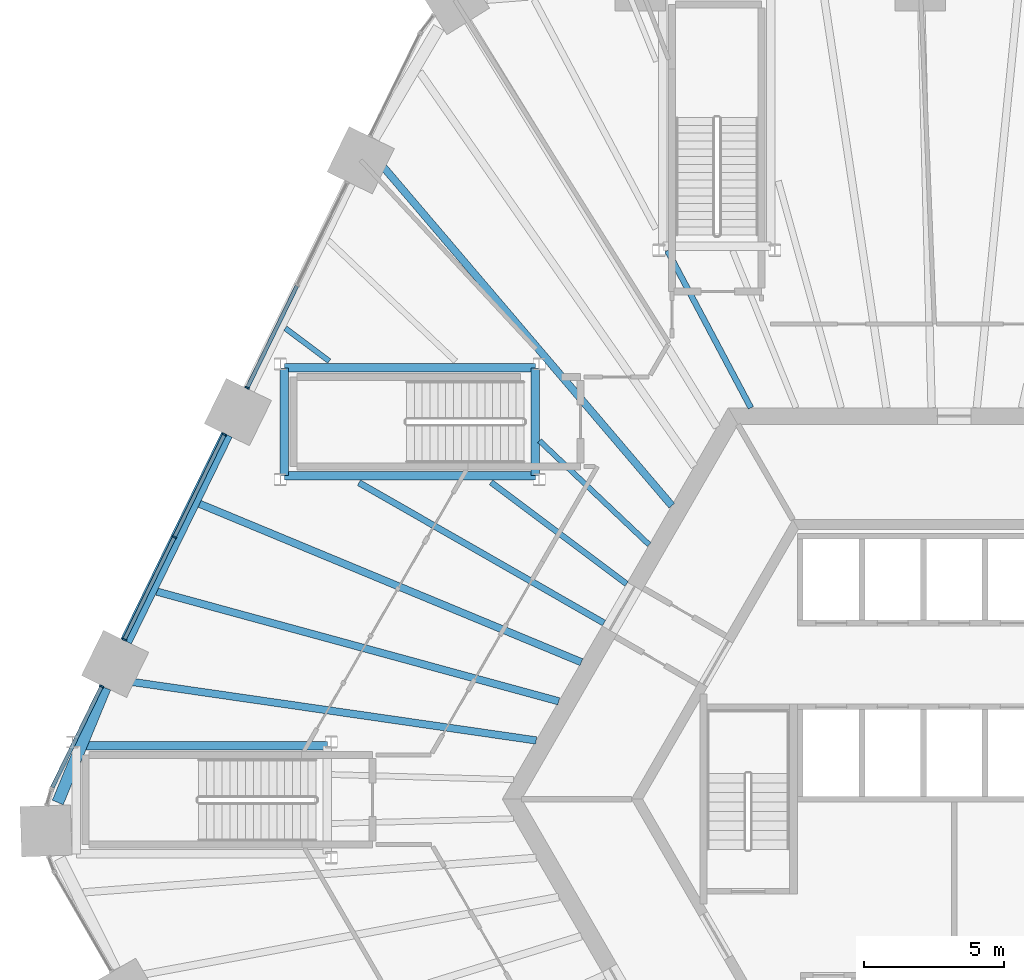
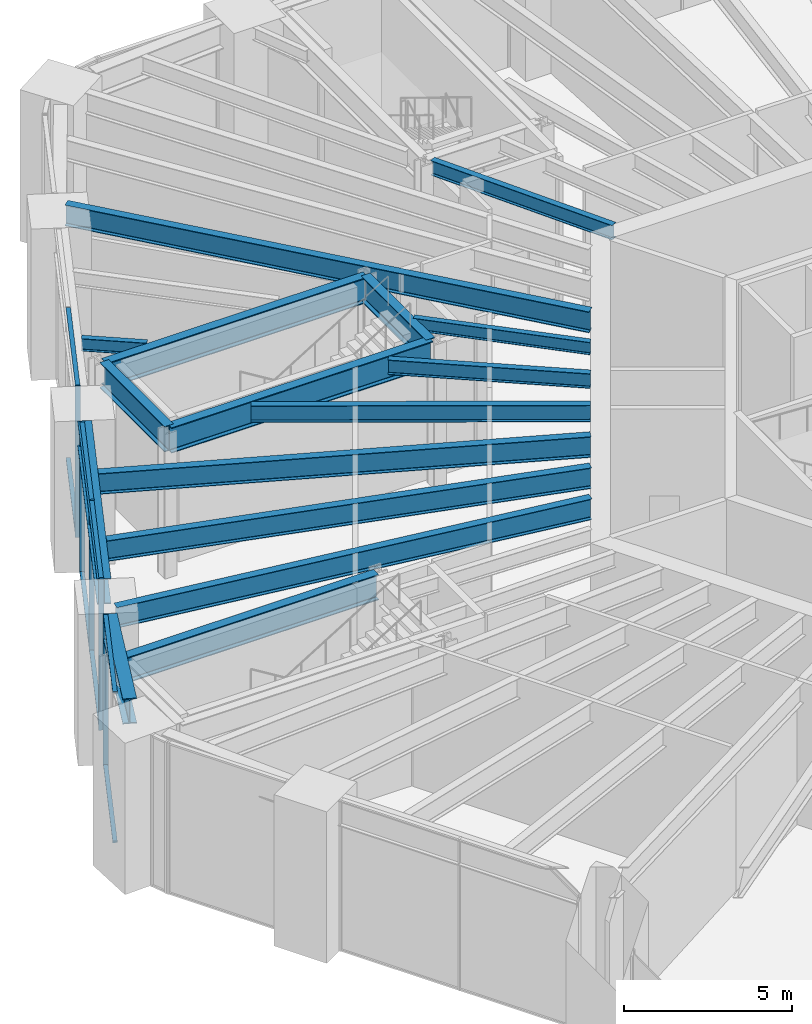
# One storey, part 7 of 30: 16 beams, 13 members, 3 elements without a shape of their own.
"""IFC4 building model written with IfcOpenShell, lengths in metres."""

from ifc_helpers import new_model, si_unit, direction, frame, origin, origin_2d, place, context, subcontext, project, spatial, rectangle, i_section, extrude, material, material_profile, profile_set, type_object, element, aggregate, save


model = new_model("IFC4")

# Units and contexts
model_context = context("Model", 3, precision=1e-05, world=origin(), true_north=direction((0.0, 1.0)))
body_context = subcontext(model_context, "Body", "Model", "MODEL_VIEW")
ifc_project = project(units=[si_unit("LENGTHUNIT", "METRE"), si_unit("AREAUNIT", "SQUARE_METRE"), si_unit("VOLUMEUNIT", "CUBIC_METRE"), si_unit("PLANEANGLEUNIT", "RADIAN"), si_unit("MASSUNIT", "GRAM", prefix="KILO")], contexts=[model_context])

# Site, building, storey
site_placement = place(None, origin())
site = spatial("IfcSite", under=ifc_project, at=site_placement, CompositionType="ELEMENT")
building_placement = place(site_placement, origin())
building = spatial("IfcBuilding", under=site, at=building_placement, Name="Tarnside Tower", CompositionType="ELEMENT")
storey_placement = place(building_placement, frame((0.0, 0.0, 15.0)))
storey = spatial("IfcBuildingStorey", under=building, at=storey_placement, Name="L02", CompositionType="ELEMENT", Elevation=15.0)

# Beams
ifc_material_1 = material(Name="Steel S355", Category="steel")
ifc_material_profile_1 = material_profile(ifc_material_1, i_section(OverallWidth=0.18994140625, OverallDepth=0.453369140625, WebThickness=0.008544921875, FlangeThickness=0.0126953125, FilletRadius=0.01025390625, at=origin_2d()), Name="UB 457x191x67")
ifc_profile_set_1 = profile_set([ifc_material_profile_1], Name="Steel S355")
beam_type_1 = type_object("IfcBeamType", Name="Floor beam UB 457x191x67", PredefinedType="BEAM", material=ifc_profile_set_1)
beam_1_placement = place(storey_placement, frame((-14.832275390625, 12.8173828125, 5.023193359375), z_axis=(0.725655749818, -0.688057942877, 0.0), x_axis=(0.688057942877, 0.725655749818, 0.0)))
element("IfcBeam", 1, at=beam_1_placement, inside=storey, type_object=beam_type_1, Name="Floor beam F2.03b", PredefinedType="BEAM", context=body_context, shape_type="SweptSolid", body=[
    extrude(i_section(OverallWidth=0.18994140625, OverallDepth=0.453369140625, WebThickness=0.008544921875, FlangeThickness=0.0126953125, FilletRadius=0.01025390625, at=origin_2d()), origin(), (0.0, 0.0, 1.0), 5.402587890625),
])
beam_2_placement = place(storey_placement, frame((-23.927001953125, 16.844970703125, 5.023193359375), z_axis=(0.80026824962, -0.599642167171, 0.0), x_axis=(0.599642167171, 0.80026824962, 0.0)))
element("IfcBeam", 2, at=beam_2_placement, inside=storey, type_object=beam_type_1, Name="Floor beam F2.04a", PredefinedType="BEAM", context=body_context, shape_type="SweptSolid", body=[
    extrude(i_section(OverallWidth=0.18994140625, OverallDepth=0.453369140625, WebThickness=0.008544921875, FlangeThickness=0.0126953125, FilletRadius=0.01025390625, at=origin_2d()), origin(), (0.0, 0.0, 1.0), 1.96533203125),
])
ifc_material_profile_2 = material_profile(ifc_material_1, i_section(OverallWidth=0.209228515625, OverallDepth=0.533203125, WebThickness=0.010009765625, FlangeThickness=0.015625, FilletRadius=0.0126953125, at=origin_2d()), Name="UB 533x210x92")
ifc_profile_set_2 = profile_set([ifc_material_profile_2], Name="Steel S355")
beam_type_2 = type_object("IfcBeamType", Name="Floor beam UB 533x210x92", PredefinedType="BEAM", material=ifc_profile_set_2)
beam_3_placement = place(storey_placement, frame((-10.26171875, 19.622314453125, 4.9833984375), z_axis=(0.469180459704, -0.88310231357, 0.0), x_axis=(0.88310231357, 0.469180459704, 0.0)))
element("IfcBeam", 3, at=beam_3_placement, inside=storey, type_object=beam_type_2, Name="Floor beam F1.09b", PredefinedType="BEAM", context=body_context, shape_type="SweptSolid", body=[
    extrude(i_section(OverallWidth=0.209228515625, OverallDepth=0.533203125, WebThickness=0.010009765625, FlangeThickness=0.015625, FilletRadius=0.0126953125, at=origin_2d()), origin(), (0.0, 0.0, 1.0), 6.366455078125),
])
beam_4_placement = place(storey_placement, frame((-16.570068359375, 11.33349609375, 4.9833984375), z_axis=(0.800304467872, -0.599593828107, 0.0), x_axis=(0.599593828107, 0.800304467872, 0.0)))
element("IfcBeam", 4, at=beam_4_placement, inside=storey, type_object=beam_type_2, Name="Floor beam F2.04b", PredefinedType="BEAM", context=body_context, shape_type="SweptSolid", body=[
    extrude(i_section(OverallWidth=0.209228515625, OverallDepth=0.533203125, WebThickness=0.010009765625, FlangeThickness=0.015625, FilletRadius=0.0126953125, at=origin_2d()), origin(), (0.0, 0.0, 1.0), 6.06005859375),
])
ifc_material_profile_3 = material_profile(ifc_material_1, i_section(OverallWidth=0.228271484375, OverallDepth=0.607666015625, WebThickness=0.010986328125, FlangeThickness=0.017333984375, FilletRadius=0.0126953125, at=origin_2d()), Name="UB 610x229x113")
ifc_profile_set_3 = profile_set([ifc_material_profile_3], Name="Steel S355")
beam_type_3 = type_object("IfcBeamType", Name="Floor beam UB 610x229x113", PredefinedType="BEAM", material=ifc_profile_set_3)
beam_5_placement = place(storey_placement, frame((-21.293212890625, 11.31787109375, 4.9462890625), z_axis=(0.867839710753, -0.496844277858, 0.0), x_axis=(0.496844277858, 0.867839710753, 0.0)))
element("IfcBeam", 5, at=beam_5_placement, inside=storey, type_object=beam_type_3, Name="Floor beam F2.05b", PredefinedType="BEAM", context=body_context, shape_type="SweptSolid", body=[
    extrude(i_section(OverallWidth=0.228271484375, OverallDepth=0.607666015625, WebThickness=0.010986328125, FlangeThickness=0.017333984375, FilletRadius=0.0126953125, at=origin_2d()), origin(), (0.0, 0.0, 1.0), 10.099365234375),
])
ifc_material_profile_4 = material_profile(ifc_material_1, i_section(OverallWidth=0.26513671875, OverallDepth=0.75390625, WebThickness=0.0126953125, FlangeThickness=0.017578125, FilletRadius=0.0166015625, at=origin_2d()), Name="UB 762x267x147")
ifc_profile_set_4 = profile_set([ifc_material_profile_4], Name="Steel S355")
beam_type_4 = type_object("IfcBeamType", Name="Floor beam UB 762x267x147", PredefinedType="BEAM", material=ifc_profile_set_4)
beam_6_placement = place(storey_placement, frame((-26.990966796875, 10.56298828125, 4.873046875), z_axis=(0.92370262903, -0.383110236254, 0.0), x_axis=(0.383110236254, 0.92370262903, 0.0)))
element("IfcBeam", 6, at=beam_6_placement, inside=storey, type_object=beam_type_4, Name="Floor beam F2.06", PredefinedType="BEAM", context=body_context, shape_type="SweptSolid", body=[
    extrude(i_section(OverallWidth=0.26513671875, OverallDepth=0.75390625, WebThickness=0.0126953125, FlangeThickness=0.017578125, FilletRadius=0.0166015625, at=origin_2d()), origin(), (0.0, 0.0, 1.0), 14.781982421875),
])
beam_7_placement = place(storey_placement, frame((-28.52197265625, 7.424072265625, 4.873046875), z_axis=(0.964711253144, -0.263310079673, 0.0), x_axis=(0.263310079673, 0.964711253144, 0.0)))
element("IfcBeam", 7, at=beam_7_placement, inside=storey, type_object=beam_type_4, Name="Floor beam F2.07", PredefinedType="BEAM", context=body_context, shape_type="SweptSolid", body=[
    extrude(i_section(OverallWidth=0.26513671875, OverallDepth=0.75390625, WebThickness=0.0126953125, FlangeThickness=0.017578125, FilletRadius=0.0166015625, at=origin_2d()), origin(), (0.0, 0.0, 1.0), 14.90283203125),
])
beam_8_placement = place(storey_placement, frame((-30.019775390625, 4.28173828125, 4.873046875), z_axis=(0.98967827479, -0.143307056383, 0.0), x_axis=(0.143307056383, 0.98967827479, 0.0)))
element("IfcBeam", 8, at=beam_8_placement, inside=storey, type_object=beam_type_4, Name="Floor beam F2.08", PredefinedType="BEAM", context=body_context, shape_type="SweptSolid", body=[
    extrude(i_section(OverallWidth=0.26513671875, OverallDepth=0.75390625, WebThickness=0.0126953125, FlangeThickness=0.017578125, FilletRadius=0.0166015625, at=origin_2d()), origin(), (0.0, 0.0, 1.0), 15.2236328125),
])
ifc_material_profile_5 = material_profile(ifc_material_1, i_section(OverallWidth=0.2666015625, OverallDepth=0.76220703125, WebThickness=0.014404296875, FlangeThickness=0.021484375, FilletRadius=0.0166015625, at=origin_2d()), Name="UB 762x267x173")
ifc_profile_set_5 = profile_set([ifc_material_profile_5], Name="Steel S355")
beam_type_5 = type_object("IfcBeamType", Name="Floor beam UB 762x267x173", PredefinedType="BEAM", material=ifc_profile_set_5)
beam_9_placement = place(storey_placement, frame((-20.838134765625, 23.10595703125, 4.868896484375), z_axis=(0.648333844013, -0.761356175983, 0.0), x_axis=(0.761356175983, 0.648333844013, 0.0)))
element("IfcBeam", 9, at=beam_9_placement, inside=storey, type_object=beam_type_5, Name="Floor beam F2.02", PredefinedType="BEAM", context=body_context, shape_type="SweptSolid", body=[
    extrude(i_section(OverallWidth=0.2666015625, OverallDepth=0.76220703125, WebThickness=0.014404296875, FlangeThickness=0.021484375, FilletRadius=0.0166015625, at=origin_2d()), origin(), (0.0, 0.0, 1.0), 16.55712890625),
])
ifc_material_profile_6 = material_profile(ifc_material_1, i_section(OverallWidth=0.3076171875, OverallDepth=0.926513671875, WebThickness=0.01953125, FlangeThickness=0.031982421875, FilletRadius=0.01904296875, at=origin_2d()), Name="UB 914x305x289")
ifc_profile_set_6 = profile_set([ifc_material_profile_6], Name="Steel S355")
beam_type_6 = type_object("IfcBeamType", Name="Perimeter girder UB 914x305x289", PredefinedType="BEAM", material=ifc_profile_set_6)
beam_10_placement = place(storey_placement, frame((-31.40380859375, 1.90380859375, 4.78662109375), z_axis=(1.0, 0.0, 0.0), x_axis=(0.0, 1.0, 0.0)))
element("IfcBeam", 10, at=beam_10_placement, inside=storey, type_object=beam_type_6, Name="Perimeter girder T6", PredefinedType="BEAM", context=body_context, shape_type="SweptSolid", body=[
    extrude(i_section(OverallWidth=0.3076171875, OverallDepth=0.926513671875, WebThickness=0.01953125, FlangeThickness=0.031982421875, FilletRadius=0.01904296875, at=origin_2d()), origin(), (0.0, 0.0, 1.0), 8.977783203125),
])
beam_11_placement = place(storey_placement, frame((-23.9638671875, 11.5712890625, 4.78662109375), z_axis=(0.0, 1.0, 0.0), x_axis=(-1.0, 0.0, 0.0)))
element("IfcBeam", 11, at=beam_11_placement, inside=storey, type_object=beam_type_6, Name="Perimeter girder T21", PredefinedType="BEAM", context=body_context, shape_type="SweptSolid", body=[
    extrude(i_section(OverallWidth=0.3076171875, OverallDepth=0.926513671875, WebThickness=0.01953125, FlangeThickness=0.031982421875, FilletRadius=0.01904296875, at=origin_2d()), origin(), (0.0, 0.0, 1.0), 3.857421875),
])
beam_12_placement = place(storey_placement, frame((-23.9638671875, 15.4287109375, 4.78662109375), z_axis=(1.0, 0.0, 0.0), x_axis=(0.0, 1.0, 0.0)))
element("IfcBeam", 12, at=beam_12_placement, inside=storey, type_object=beam_type_6, Name="Perimeter girder T22", PredefinedType="BEAM", context=body_context, shape_type="SweptSolid", body=[
    extrude(i_section(OverallWidth=0.3076171875, OverallDepth=0.926513671875, WebThickness=0.01953125, FlangeThickness=0.031982421875, FilletRadius=0.01904296875, at=origin_2d()), origin(), (0.0, 0.0, 1.0), 8.977783203125),
])
beam_13_placement = place(storey_placement, frame((-14.986083984375, 15.4287109375, 4.78662109375), z_axis=(0.0, -1.0, 0.0), x_axis=(1.0, 0.0, 0.0)))
element("IfcBeam", 13, at=beam_13_placement, inside=storey, type_object=beam_type_6, Name="Perimeter girder T23", PredefinedType="BEAM", context=body_context, shape_type="SweptSolid", body=[
    extrude(i_section(OverallWidth=0.3076171875, OverallDepth=0.926513671875, WebThickness=0.01953125, FlangeThickness=0.031982421875, FilletRadius=0.01904296875, at=origin_2d()), origin(), (0.0, 0.0, 1.0), 3.857421875),
])
beam_14_placement = place(storey_placement, frame((-14.986083984375, 11.5712890625, 4.78662109375), z_axis=(-1.0, 0.0, 0.0), x_axis=(0.0, -1.0, 0.0)))
element("IfcBeam", 14, at=beam_14_placement, inside=storey, type_object=beam_type_6, Name="Perimeter girder T24", PredefinedType="BEAM", context=body_context, shape_type="SweptSolid", body=[
    extrude(i_section(OverallWidth=0.3076171875, OverallDepth=0.926513671875, WebThickness=0.01953125, FlangeThickness=0.031982421875, FilletRadius=0.01904296875, at=origin_2d()), origin(), (0.0, 0.0, 1.0), 8.977783203125),
])
ifc_material_2 = material(Name="Steel S460", Category="steel")
ifc_material_profile_7 = material_profile(ifc_material_2, i_section(OverallWidth=0.42041015625, OverallDepth=0.9208984375, WebThickness=0.021484375, FlangeThickness=0.03662109375, FilletRadius=0.024169921875, at=origin_2d()), Name="UB 914x419x388")
ifc_profile_set_7 = profile_set([ifc_material_profile_7], Name="Steel S460")
beam_type_7 = type_object("IfcBeamType", Name="Perimeter girder UB 914x419x388", PredefinedType="BEAM", material=ifc_profile_set_7)
beam_15_placement = place(storey_placement, frame((-26.0185546875, 13.0361328125, 4.78955078125), z_axis=(-0.438368649743, -0.898795264186, 0.0), x_axis=(0.898795264186, -0.438368649743, 0.0)))
element("IfcBeam", 15, at=beam_15_placement, inside=storey, type_object=beam_type_7, Name="Perimeter girder M06", PredefinedType="BEAM", context=body_context, shape_type="SweptSolid", body=[
    extrude(i_section(OverallWidth=0.42041015625, OverallDepth=0.9208984375, WebThickness=0.021484375, FlangeThickness=0.03662109375, FilletRadius=0.024169921875, at=origin_2d()), origin(), (0.0, 0.0, 1.0), 8.2236328125),
])
beam_16_placement = place(storey_placement, frame((-30.36962890625, 3.985595703125, 4.78955078125), z_axis=(-0.381974575495, -0.924172832145, 0.0), x_axis=(0.924172832145, -0.381974575495, 0.0)))
element("IfcBeam", 16, at=beam_16_placement, inside=storey, type_object=beam_type_7, Name="Perimeter girder M07", PredefinedType="BEAM", context=body_context, shape_type="SweptSolid", body=[
    extrude(i_section(OverallWidth=0.42041015625, OverallDepth=0.9208984375, WebThickness=0.021484375, FlangeThickness=0.03662109375, FilletRadius=0.024169921875, at=origin_2d()), origin(), (0.0, 0.0, 1.0), 4.440185546875),
])

# Curtain wall, member
ifc_material_3 = material(Name="Retail shopfront glazing wall", Category="glass")
curtain_wall_type = type_object("IfcCurtainWallType", Name="Retail shopfront glazing wall", PredefinedType="NOTDEFINED", material=ifc_material_3)
curtain_wall_1_placement = place(storey_placement, origin())
curtain_wall_1 = element("IfcCurtainWall", 17, at=curtain_wall_1_placement, inside=storey, type_object=curtain_wall_type, Name="Retail shopfront glazing L02 04.0", PredefinedType="NOTDEFINED")
ifc_material_4 = material(Name="Aluminium alloy 6063", Category="aluminium")
ifc_material_profile_8 = material_profile(ifc_material_4, rectangle(XDim=0.159912109375, YDim=0.06005859375, at=origin_2d()), Name="Retail shopfront glazing mullion 60 x 160")
ifc_profile_set_8 = profile_set([ifc_material_profile_8], Name="Aluminium alloy 6063")
member_type_1 = type_object("IfcMemberType", Name="Retail shopfront glazing mullion 60 x 160", PredefinedType="MULLION", material=ifc_profile_set_8)
member_1_placement = place(storey_placement, frame((-25.288330078125, 14.716064453125, -0.25), z_axis=(0.0, 0.0, 1.0), x_axis=(0.898794046292, -0.438371146805, 0.0)))
member_1 = element("IfcMember", 18, at=member_1_placement, type_object=member_type_1, Name="CW2 mullion 3", PredefinedType="MULLION", context=body_context, shape_type="SweptSolid", body=[
    extrude(rectangle(XDim=0.159912109375, YDim=0.06005859375, at=origin_2d()), origin(), (0.0, 0.0, 1.0), 5.5),
])

# Curtain wall, members
curtain_wall_2_placement = place(storey_placement, origin())
curtain_wall_2 = element("IfcCurtainWall", 19, at=curtain_wall_2_placement, inside=storey, type_object=curtain_wall_type, Name="Retail shopfront glazing L02 05.0", PredefinedType="NOTDEFINED")
member_2_placement = place(storey_placement, frame((-26.103515625, 13.044189453125, -0.25), z_axis=(0.0, 0.0, 1.0), x_axis=(0.898794046292, -0.438371146805, 0.0)))
member_2 = element("IfcMember", 20, at=member_2_placement, type_object=member_type_1, Name="CW2 mullion 1", PredefinedType="MULLION", context=body_context, shape_type="SweptSolid", body=[
    extrude(rectangle(XDim=0.159912109375, YDim=0.06005859375, at=origin_2d()), origin(), (0.0, 0.0, 1.0), 5.5),
])
member_3_placement = place(storey_placement, frame((-27.89306640625, 9.37548828125, -0.25), z_axis=(0.0, 0.0, 1.0), x_axis=(0.898794046292, -0.438371146805, 0.0)))
member_3 = element("IfcMember", 21, at=member_3_placement, type_object=member_type_1, Name="CW2 mullion 2", PredefinedType="MULLION", context=body_context, shape_type="SweptSolid", body=[
    extrude(rectangle(XDim=0.159912109375, YDim=0.06005859375, at=origin_2d()), origin(), (0.0, 0.0, 1.0), 5.5),
])
member_4_placement = place(storey_placement, frame((-29.682373046875, 5.706787109375, -0.25), z_axis=(0.0, 0.0, 1.0), x_axis=(0.898794046292, -0.438371146805, 0.0)))
member_4 = element("IfcMember", 22, at=member_4_placement, type_object=member_type_1, Name="CW2 mullion 3", PredefinedType="MULLION", context=body_context, shape_type="SweptSolid", body=[
    extrude(rectangle(XDim=0.159912109375, YDim=0.06005859375, at=origin_2d()), origin(), (0.0, 0.0, 1.0), 5.5),
])

# Curtain wall, member
curtain_wall_3_placement = place(storey_placement, origin())
curtain_wall_3 = element("IfcCurtainWall", 23, at=curtain_wall_3_placement, inside=storey, type_object=curtain_wall_type, Name="Retail shopfront glazing L02 06.0", PredefinedType="NOTDEFINED")
member_5_placement = place(storey_placement, frame((-30.497802734375, 4.03515625, -0.25), z_axis=(0.0, 0.0, 1.0), x_axis=(0.898794046314, -0.438371146758, 0.0)))
member_5 = element("IfcMember", 24, at=member_5_placement, type_object=member_type_1, Name="CW2 mullion 1", PredefinedType="MULLION", context=body_context, shape_type="SweptSolid", body=[
    extrude(rectangle(XDim=0.159912109375, YDim=0.06005859375, at=origin_2d()), origin(), (0.0, 0.0, 1.0), 5.5),
])

# Member
ifc_material_profile_9 = material_profile(ifc_material_4, rectangle(XDim=0.139892578125, YDim=0.06005859375, at=origin_2d()), Name="Retail shopfront glazing transom 60 x 140")
ifc_profile_set_9 = profile_set([ifc_material_profile_9], Name="Aluminium alloy 6063")
member_type_2 = type_object("IfcMemberType", Name="Retail shopfront glazing transom 60 x 140", PredefinedType="USERDEFINED", material=ifc_profile_set_9)
member_6_placement = place(storey_placement, frame((-23.511962890625, 18.35791015625, -0.219970703125), z_axis=(-0.438378186386, -0.898790612824, 0.0), x_axis=(0.898790612824, -0.438378186386, 0.0)))
member_6 = element("IfcMember", 25, at=member_6_placement, type_object=member_type_2, Name="CW2 transom 2.1", ObjectType="TRANSOM", PredefinedType="USERDEFINED", context=body_context, shape_type="SweptSolid", body=[
    extrude(rectangle(XDim=0.139892578125, YDim=0.06005859375, at=origin_2d()), origin(), (0.0, 0.0, 1.0), 4.02197265625),
])

member_7_placement = place(storey_placement, frame((-23.511962890625, 18.35791015625, 5.219970703125), z_axis=(-0.438378186386, -0.898790612824, 0.0), x_axis=(0.898790612824, -0.438378186386, 0.0)))
member_7 = element("IfcMember", 26, at=member_7_placement, type_object=member_type_2, Name="CW2 transom 2.2", ObjectType="TRANSOM", PredefinedType="USERDEFINED", context=body_context, shape_type="SweptSolid", body=[
    extrude(rectangle(XDim=0.139892578125, YDim=0.06005859375, at=origin_2d()), origin(), (0.0, 0.0, 1.0), 4.02197265625),
])

aggregate(curtain_wall_1, [member_1, member_6, member_7])

member_8_placement = place(storey_placement, frame((-26.11669921875, 13.017333984375, -0.219970703125), z_axis=(-0.438402104107, -0.898778946747, 0.0), x_axis=(0.898778946747, -0.438402104107, 0.0)))
member_8 = element("IfcMember", 27, at=member_8_placement, type_object=member_type_2, Name="CW2 transom 1.1", ObjectType="TRANSOM", PredefinedType="USERDEFINED", context=body_context, shape_type="SweptSolid", body=[
    extrude(rectangle(XDim=0.139892578125, YDim=0.06005859375, at=origin_2d()), origin(), (0.0, 0.0, 1.0), 4.021728515625),
])

member_9_placement = place(storey_placement, frame((-26.11669921875, 13.017333984375, 5.219970703125), z_axis=(-0.438402104107, -0.898778946747, 0.0), x_axis=(0.898778946747, -0.438402104107, 0.0)))
member_9 = element("IfcMember", 28, at=member_9_placement, type_object=member_type_2, Name="CW2 transom 1.2", ObjectType="TRANSOM", PredefinedType="USERDEFINED", context=body_context, shape_type="SweptSolid", body=[
    extrude(rectangle(XDim=0.139892578125, YDim=0.06005859375, at=origin_2d()), origin(), (0.0, 0.0, 1.0), 4.021728515625),
])

member_10_placement = place(storey_placement, frame((-27.906005859375, 9.3486328125, -0.219970703125), z_axis=(-0.438402104107, -0.898778946747, 0.0), x_axis=(0.898778946747, -0.438402104107, 0.0)))
member_10 = element("IfcMember", 29, at=member_10_placement, type_object=member_type_2, Name="CW2 transom 2.1", ObjectType="TRANSOM", PredefinedType="USERDEFINED", context=body_context, shape_type="SweptSolid", body=[
    extrude(rectangle(XDim=0.139892578125, YDim=0.06005859375, at=origin_2d()), origin(), (0.0, 0.0, 1.0), 4.021728515625),
])

member_11_placement = place(storey_placement, frame((-27.906005859375, 9.3486328125, 5.219970703125), z_axis=(-0.438402104107, -0.898778946747, 0.0), x_axis=(0.898778946747, -0.438402104107, 0.0)))
member_11 = element("IfcMember", 30, at=member_11_placement, type_object=member_type_2, Name="CW2 transom 2.2", ObjectType="TRANSOM", PredefinedType="USERDEFINED", context=body_context, shape_type="SweptSolid", body=[
    extrude(rectangle(XDim=0.139892578125, YDim=0.06005859375, at=origin_2d()), origin(), (0.0, 0.0, 1.0), 4.021728515625),
])

aggregate(curtain_wall_2, [member_2, member_3, member_4, member_8, member_9, member_10, member_11])

member_12_placement = place(storey_placement, frame((-30.5107421875, 4.008056640625, -0.219970703125), z_axis=(-0.438385073172, -0.898787253815, 0.0), x_axis=(0.898787253815, -0.438385073172, 0.0)))
member_12 = element("IfcMember", 31, at=member_12_placement, type_object=member_type_2, Name="CW2 transom 1.1", ObjectType="TRANSOM", PredefinedType="USERDEFINED", context=body_context, shape_type="SweptSolid", body=[
    extrude(rectangle(XDim=0.139892578125, YDim=0.06005859375, at=origin_2d()), origin(), (0.0, 0.0, 1.0), 3.991943359375),
])

member_13_placement = place(storey_placement, frame((-30.5107421875, 4.008056640625, 5.219970703125), z_axis=(-0.438385073172, -0.898787253815, 0.0), x_axis=(0.898787253815, -0.438385073172, 0.0)))
member_13 = element("IfcMember", 32, at=member_13_placement, type_object=member_type_2, Name="CW2 transom 1.2", ObjectType="TRANSOM", PredefinedType="USERDEFINED", context=body_context, shape_type="SweptSolid", body=[
    extrude(rectangle(XDim=0.139892578125, YDim=0.06005859375, at=origin_2d()), origin(), (0.0, 0.0, 1.0), 3.991943359375),
])

aggregate(curtain_wall_3, [member_5, member_12, member_13])

save(model, "model.ifc")
